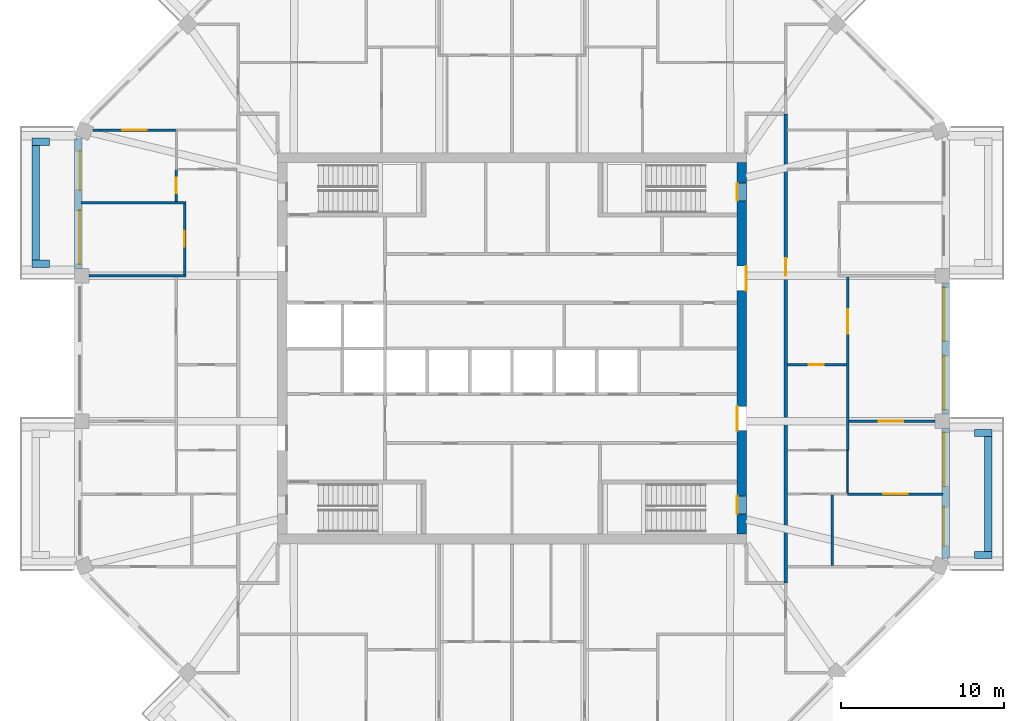
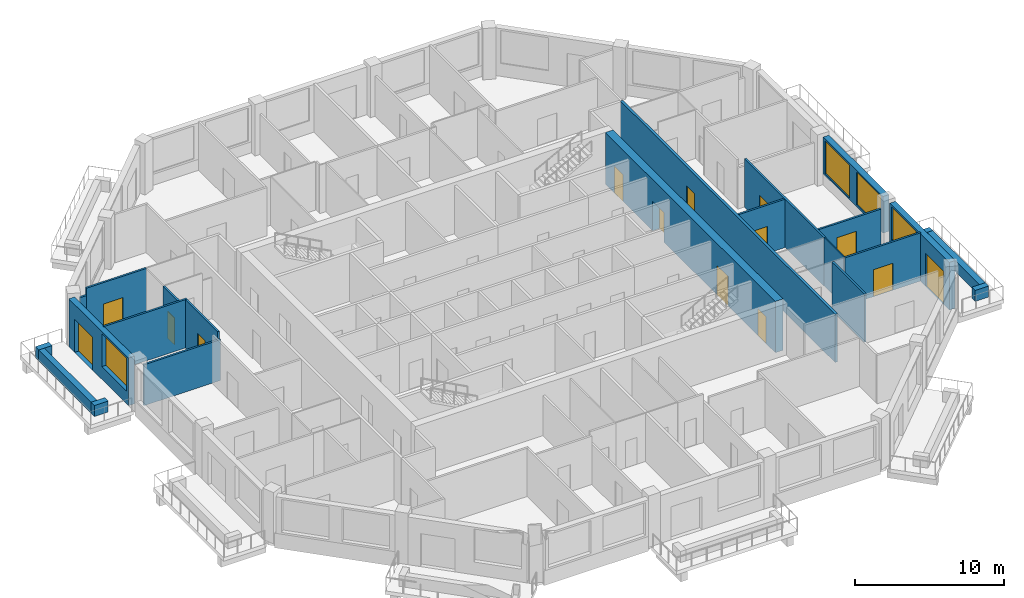
# One storey, part 6 of 12: 23 walls, 14 doors, 4 windows, 18 openings.
"""IFC4 building model written with IfcOpenShell, lengths in metres."""

from ifc_helpers import new_model, si_unit, direction, frame, frame_2d, origin, place, context, subcontext, project, spatial, rectangle, extrude, material, layer, layer_set, type_object, element, fill, save


model = new_model("IFC4")

# Units and contexts
model_context = context("Model", 3, precision=1e-05, world=origin(), true_north=direction((0.0, 1.0)))
body_context = subcontext(model_context, "Body", "Model", "MODEL_VIEW")
ifc_project = project(units=[si_unit("LENGTHUNIT", "METRE"), si_unit("AREAUNIT", "SQUARE_METRE"), si_unit("VOLUMEUNIT", "CUBIC_METRE"), si_unit("PLANEANGLEUNIT", "RADIAN"), si_unit("MASSUNIT", "GRAM", prefix="KILO")], contexts=[model_context])

# Site, building, storey
site_placement = place(None, origin())
site = spatial("IfcSite", under=ifc_project, at=site_placement, CompositionType="ELEMENT")
building_placement = place(site_placement, origin())
building = spatial("IfcBuilding", under=site, at=building_placement, Name="Msitu Wima Residences", CompositionType="ELEMENT")
storey_placement = place(building_placement, frame((0.0, 0.0, 243.300048828125)))
storey = spatial("IfcBuildingStorey", under=building, at=storey_placement, Name="L56", CompositionType="ELEMENT", Elevation=243.300048828125)

# Walls
ifc_material_1 = material(Name="Facing brick")
ifc_layer_1 = layer(ifc_material_1, 0.06494140625, Name="Facing brick")
ifc_material_2 = material(Name="Concrete C40/50", Category="concrete")
ifc_layer_2 = layer(ifc_material_2, 0.156005859375, Name="Concrete C40/50")
ifc_material_3 = material(Name="Waterproofing membrane")
ifc_layer_3 = layer(ifc_material_3, 0.00390625, Name="Waterproofing membrane")
ifc_material_4 = material(Name="Planting soil and planting")
ifc_layer_4 = layer(ifc_material_4, 0.22509765625, Name="Planting soil and planting")
ifc_layer_set_1 = layer_set([ifc_layer_1, ifc_layer_2, ifc_layer_3, ifc_layer_4], Name="Concrete C40/50")
wall_type_1 = type_object("IfcWallType", Name="Balcony planter PLANTER PL450", PredefinedType="USERDEFINED", material=ifc_layer_set_1)
wall_1_placement = place(storey_placement, frame((29.22509765625, -12.455810546875, 0.0), z_axis=(0.0, 0.0, 1.0), x_axis=(0.0, 1.0, 0.0)))
element("IfcWall", 1, at=wall_1_placement, inside=storey, type_object=wall_type_1, Name="Balcony planter E0 L56", ObjectType="PLANTER", PredefinedType="USERDEFINED", context=body_context, shape_type="SweptSolid", body=[
    extrude(rectangle(XDim=7.037109375, YDim=0.449951171875, at=frame_2d((3.5185546875, 0.0))), origin(), (0.0, 0.0, 1.0), 0.89990234375),
])
for number, where, z_axis, x_axis, name in (
    (2, (28.39990234375, -12.680908203125, 0.0), (0.0, 0.0, 1.0), (1.0, 0.0, 0.0), "Balcony planter E0 L56"),
    (3, (28.39990234375, -5.193603515625, 0.0), (0.0, 0.0, 1.0), (1.0, 0.0, 0.0), "Balcony planter E0 L56"),
):
    element("IfcWall", number, at=place(storey_placement, frame(where, z_axis=z_axis, x_axis=x_axis)), inside=storey, type_object=wall_type_1, Name=name, ObjectType="PLANTER", PredefinedType="USERDEFINED", context=body_context, shape_type="SweptSolid", body=[
        extrude(rectangle(XDim=1.050048828125, YDim=0.449951171875, at=frame_2d((0.52490234375, 0.0))), origin(), (0.0, 0.0, 1.0), 0.89990234375),
    ])
wall_2_placement = place(storey_placement, frame((-29.22509765625, 12.455810546875, 0.0), z_axis=(0.0, 0.0, 1.0), x_axis=(0.0, -1.0, 0.0)))
element("IfcWall", 4, at=wall_2_placement, inside=storey, type_object=wall_type_1, Name="Balcony planter W0 L56", ObjectType="PLANTER", PredefinedType="USERDEFINED", context=body_context, shape_type="SweptSolid", body=[
    extrude(rectangle(XDim=7.037109375, YDim=0.449951171875, at=frame_2d((3.5185546875, 0.0))), origin(), (0.0, 0.0, 1.0), 0.89990234375),
])
for number, where, z_axis, x_axis, name in (
    (5, (-28.39990234375, 12.680908203125, 0.0), (0.0, 0.0, 1.0), (-1.0, 0.0, 0.0), "Balcony planter W0 L56"),
    (6, (-28.39990234375, 5.193603515625, 0.0), (0.0, 0.0, 1.0), (-1.0, 0.0, 0.0), "Balcony planter W0 L56"),
):
    element("IfcWall", number, at=place(storey_placement, frame(where, z_axis=z_axis, x_axis=x_axis)), inside=storey, type_object=wall_type_1, Name=name, ObjectType="PLANTER", PredefinedType="USERDEFINED", context=body_context, shape_type="SweptSolid", body=[
        extrude(rectangle(XDim=1.050048828125, YDim=0.449951171875, at=frame_2d((0.52490234375, 0.0))), origin(), (0.0, 0.0, 1.0), 0.89990234375),
    ])

# Wall, openings, door, window
ifc_material_5 = material(Name="Brick (red buff mix)", Category="masonry")
ifc_layer_5 = layer(ifc_material_5, 0.449951171875)
ifc_layer_set_2 = layer_set([ifc_layer_5], Name="Brick (red buff mix)")
wall_type_2 = type_object("IfcWallType", Name="Brick infill wall BW450", PredefinedType="SOLIDWALL", material=ifc_layer_set_2)
wall_3_placement = place(storey_placement, frame((26.625, -12.918701171875, 0.0), z_axis=(0.0, 0.0, 1.0), x_axis=(0.0, 1.0, 0.0)))
wall_3 = element("IfcWall", 7, at=wall_3_placement, inside=storey, type_object=wall_type_2, Name="Brick infill wall L56 E0", PredefinedType="SOLIDWALL", context=body_context, shape_type="SweptSolid", body=[
    extrude(rectangle(XDim=8.0, YDim=0.449951171875, at=frame_2d((4.0, 0.0))), origin(), (0.0, 0.0, 1.0), 3.89990234375),
])
opening_1_placement = place(wall_3_placement, frame((0.800048828125, 0.0, 0.0)))
opening_1 = element("IfcOpeningElement", 8, at=opening_1_placement, cuts=wall_3, Name="Opening D55-56.001", PredefinedType="OPENING", context=body_context, shape_type="SweptSolid", body=[
    extrude(rectangle(XDim=2.39990234375, YDim=2.699951171875, at=frame_2d((1.199951171875, 1.35009765625))), frame((0.0, 0.23486328125, 0.0), z_axis=(0.0, -1.0, 0.0), x_axis=(1.0, 0.0, 0.0)), (0.0, 0.0, 1.0), 0.469970703125),
])
opening_2_placement = place(wall_3_placement, frame((4.4501953125, 0.0, 1.050048828125)))
opening_2 = element("IfcOpeningElement", 9, at=opening_2_placement, cuts=wall_3, Name="Opening W55-56.001", PredefinedType="OPENING", context=body_context, shape_type="SweptSolid", body=[
    extrude(rectangle(XDim=3.300048828125, YDim=2.699951171875, at=frame_2d((1.64990234375, 1.35009765625))), frame((0.0, 0.23486328125, 0.0), z_axis=(0.0, -1.0, 0.0), x_axis=(1.0, 0.0, 0.0)), (0.0, 0.0, 1.0), 0.469970703125),
])
ifc_material_6 = material(Name="Anodised aluminium, bronze finish, clear low-emissivity double glazing", Category="aluminium")
door_type_1 = type_object("IfcDoorType", Name="Balcony door D2400x2700", OperationType="SLIDING_TO_LEFT", PredefinedType="DOOR", material=ifc_material_6)
door_1_placement = place(opening_1_placement, origin())
door_1 = element("IfcDoor", 10, at=door_1_placement, inside=storey, type_object=door_type_1, Name="Balcony door L56 E0", OperationType="SINGLE_SWING_LEFT", OverallHeight=2.699951171875, OverallWidth=2.39990234375, PredefinedType="DOOR", context=body_context, shape_type="SweptSolid", body=[
    extrude(rectangle(XDim=2.39990234375, YDim=2.699951171875, at=frame_2d((1.199951171875, 1.35009765625))), frame((0.0, 0.1298828125, 0.0), z_axis=(0.0, -1.0, 0.0), x_axis=(1.0, 0.0, 0.0)), (0.0, 0.0, 1.0), 0.050048828125),
])
fill(opening_1, door_1)
window_type = type_object("IfcWindowType", Name="Window W3300x2700", PartitioningType="DOUBLE_PANEL_VERTICAL", PredefinedType="WINDOW", material=ifc_material_6)
window_1_placement = place(opening_2_placement, origin())
window_1 = element("IfcWindow", 11, at=window_1_placement, inside=storey, type_object=window_type, Name="Window L56 E0.2", OverallHeight=2.699951171875, OverallWidth=3.300048828125, PartitioningType="SINGLE_PANEL", PredefinedType="WINDOW", context=body_context, shape_type="SweptSolid", body=[
    extrude(rectangle(XDim=3.300048828125, YDim=2.699951171875, at=frame_2d((1.64990234375, 1.35009765625))), frame((0.0, 0.135009765625, 0.0), z_axis=(0.0, -1.0, 0.0), x_axis=(1.0, 0.0, 0.0)), (0.0, 0.0, 1.0), 0.06005859375),
])
fill(opening_2, window_1)

# Wall, openings, windows
wall_4_placement = place(storey_placement, frame((26.625, -4.0185546875, 0.89990234375), z_axis=(0.0, 0.0, 1.0), x_axis=(0.0, 1.0, 0.0)))
wall_4 = element("IfcWall", 12, at=wall_4_placement, inside=storey, type_object=wall_type_2, Name="Brick infill wall L56 E1", PredefinedType="SOLIDWALL", context=body_context, shape_type="SweptSolid", body=[
    extrude(rectangle(XDim=8.037109375, YDim=0.449951171875, at=frame_2d((4.0185546875, 0.0))), origin(), (0.0, 0.0, 1.0), 3.0),
])
opening_3_placement = place(wall_4_placement, frame((0.2685546875, 0.0, 0.14990234375)))
opening_3 = element("IfcOpeningElement", 13, at=opening_3_placement, cuts=wall_4, Name="Opening W55-56.002", PredefinedType="OPENING", context=body_context, shape_type="SweptSolid", body=[
    extrude(rectangle(XDim=3.300048828125, YDim=2.699951171875, at=frame_2d((1.64990234375, 1.35009765625))), frame((0.0, 0.23486328125, 0.0), z_axis=(0.0, -1.0, 0.0), x_axis=(1.0, 0.0, 0.0)), (0.0, 0.0, 1.0), 0.469970703125),
])
opening_4_placement = place(wall_4_placement, frame((4.46875, 0.0, 0.14990234375)))
opening_4 = element("IfcOpeningElement", 14, at=opening_4_placement, cuts=wall_4, Name="Opening W55-56.003", PredefinedType="OPENING", context=body_context, shape_type="SweptSolid", body=[
    extrude(rectangle(XDim=3.300048828125, YDim=2.699951171875, at=frame_2d((1.64990234375, 1.35009765625))), frame((0.0, 0.23486328125, 0.0), z_axis=(0.0, -1.0, 0.0), x_axis=(1.0, 0.0, 0.0)), (0.0, 0.0, 1.0), 0.469970703125),
])
window_2_placement = place(opening_3_placement, origin())
window_2 = element("IfcWindow", 15, at=window_2_placement, inside=storey, type_object=window_type, Name="Window L56 E1.1", OverallHeight=2.699951171875, OverallWidth=3.300048828125, PartitioningType="SINGLE_PANEL", PredefinedType="WINDOW", context=body_context, shape_type="SweptSolid", body=[
    extrude(rectangle(XDim=3.300048828125, YDim=2.699951171875, at=frame_2d((1.64990234375, 1.35009765625))), frame((0.0, 0.135009765625, 0.0), z_axis=(0.0, -1.0, 0.0), x_axis=(1.0, 0.0, 0.0)), (0.0, 0.0, 1.0), 0.06005859375),
])
fill(opening_3, window_2)
window_3_placement = place(opening_4_placement, origin())
window_3 = element("IfcWindow", 16, at=window_3_placement, inside=storey, type_object=window_type, Name="Window L56 E1.2", OverallHeight=2.699951171875, OverallWidth=3.300048828125, PartitioningType="SINGLE_PANEL", PredefinedType="WINDOW", context=body_context, shape_type="SweptSolid", body=[
    extrude(rectangle(XDim=3.300048828125, YDim=2.699951171875, at=frame_2d((1.64990234375, 1.35009765625))), frame((0.0, 0.135009765625, 0.0), z_axis=(0.0, -1.0, 0.0), x_axis=(1.0, 0.0, 0.0)), (0.0, 0.0, 1.0), 0.06005859375),
])
fill(opening_4, window_3)

# Wall, openings, door, window
wall_5_placement = place(storey_placement, frame((-26.625, 12.918701171875, 0.0), z_axis=(0.0, 0.0, 1.0), x_axis=(0.0, -1.0, 0.0)))
wall_5 = element("IfcWall", 17, at=wall_5_placement, inside=storey, type_object=wall_type_2, Name="Brick infill wall L56 W0", PredefinedType="SOLIDWALL", context=body_context, shape_type="SweptSolid", body=[
    extrude(rectangle(XDim=8.0, YDim=0.449951171875, at=frame_2d((4.0, 0.0))), origin(), (0.0, 0.0, 1.0), 3.89990234375),
])
opening_5_placement = place(wall_5_placement, frame((0.800048828125, 0.0, 0.0)))
opening_5 = element("IfcOpeningElement", 18, at=opening_5_placement, cuts=wall_5, Name="Opening D55-56.009", PredefinedType="OPENING", context=body_context, shape_type="SweptSolid", body=[
    extrude(rectangle(XDim=2.39990234375, YDim=2.699951171875, at=frame_2d((1.199951171875, 1.35009765625))), frame((0.0, 0.23486328125, 0.0), z_axis=(0.0, -1.0, 0.0), x_axis=(1.0, 0.0, 0.0)), (0.0, 0.0, 1.0), 0.469970703125),
])
opening_6_placement = place(wall_5_placement, frame((4.4501953125, 0.0, 1.050048828125)))
opening_6 = element("IfcOpeningElement", 19, at=opening_6_placement, cuts=wall_5, Name="Opening W55-56.027", PredefinedType="OPENING", context=body_context, shape_type="SweptSolid", body=[
    extrude(rectangle(XDim=3.300048828125, YDim=2.699951171875, at=frame_2d((1.64990234375, 1.35009765625))), frame((0.0, 0.23486328125, 0.0), z_axis=(0.0, -1.0, 0.0), x_axis=(1.0, 0.0, 0.0)), (0.0, 0.0, 1.0), 0.469970703125),
])
door_2_placement = place(opening_5_placement, origin())
door_2 = element("IfcDoor", 20, at=door_2_placement, inside=storey, type_object=door_type_1, Name="Balcony door L56 W0", OperationType="SINGLE_SWING_LEFT", OverallHeight=2.699951171875, OverallWidth=2.39990234375, PredefinedType="DOOR", context=body_context, shape_type="SweptSolid", body=[
    extrude(rectangle(XDim=2.39990234375, YDim=2.699951171875, at=frame_2d((1.199951171875, 1.35009765625))), frame((0.0, 0.1298828125, 0.0), z_axis=(0.0, -1.0, 0.0), x_axis=(1.0, 0.0, 0.0)), (0.0, 0.0, 1.0), 0.050048828125),
])
fill(opening_5, door_2)
window_4_placement = place(opening_6_placement, origin())
window_4 = element("IfcWindow", 21, at=window_4_placement, inside=storey, type_object=window_type, Name="Window L56 W0.2", OverallHeight=2.699951171875, OverallWidth=3.300048828125, PartitioningType="SINGLE_PANEL", PredefinedType="WINDOW", context=body_context, shape_type="SweptSolid", body=[
    extrude(rectangle(XDim=3.300048828125, YDim=2.699951171875, at=frame_2d((1.64990234375, 1.35009765625))), frame((0.0, 0.135009765625, 0.0), z_axis=(0.0, -1.0, 0.0), x_axis=(1.0, 0.0, 0.0)), (0.0, 0.0, 1.0), 0.06005859375),
])
fill(opening_6, window_4)

# Wall, openings, doors
ifc_material_7 = material(Name="Concrete C50/60", Category="concrete")
ifc_layer_6 = layer(ifc_material_7, 0.60009765625)
ifc_layer_set_3 = layer_set([ifc_layer_6], Name="Concrete C50/60")
wall_type_3 = type_object("IfcWallType", Name="Core wall CW600 C50/60", PredefinedType="SHEAR", material=ifc_layer_set_3)
wall_6_placement = place(storey_placement, frame((14.10009765625, -11.39990234375, 0.0), z_axis=(0.0, 0.0, 1.0), x_axis=(0.0, 1.0, 0.0)))
wall_6 = element("IfcWall", 22, at=wall_6_placement, inside=storey, type_object=wall_type_3, Name="Core wall", PredefinedType="SHEAR", context=body_context, shape_type="SweptSolid", body=[
    extrude(rectangle(XDim=22.7998046875, YDim=0.60009765625, at=frame_2d((11.39990234375, 0.0))), origin(), (0.0, 0.0, 1.0), 4.199951171875),
])
opening_7_placement = place(wall_6_placement, frame((20.449951171875, 0.0, 0.0)))
opening_7 = element("IfcOpeningElement", 23, at=opening_7_placement, cuts=wall_6, Name="Opening D55-56.081", PredefinedType="OPENING", context=body_context, shape_type="SweptSolid", body=[
    extrude(rectangle(XDim=1.10009765625, YDim=2.199951171875, at=frame_2d((0.550048828125, 1.10009765625))), frame((0.0, 0.31005859375, 0.0), z_axis=(0.0, -1.0, 0.0), x_axis=(1.0, 0.0, 0.0)), (0.0, 0.0, 1.0), 0.6201171875),
])
opening_8_placement = place(wall_6_placement, frame((1.25, 0.0, 0.0)))
opening_8 = element("IfcOpeningElement", 24, at=opening_8_placement, cuts=wall_6, Name="Opening D55-56.082", PredefinedType="OPENING", context=body_context, shape_type="SweptSolid", body=[
    extrude(rectangle(XDim=1.10009765625, YDim=2.199951171875, at=frame_2d((0.550048828125, 1.10009765625))), frame((0.0, 0.31005859375, 0.0), z_axis=(0.0, -1.0, 0.0), x_axis=(1.0, 0.0, 0.0)), (0.0, 0.0, 1.0), 0.6201171875),
])
opening_9_placement = place(wall_6_placement, frame((14.949951171875, 0.0, 0.0)))
opening_9 = element("IfcOpeningElement", 25, at=opening_9_placement, cuts=wall_6, Name="Opening D55-56.071", PredefinedType="OPENING", context=body_context, shape_type="SweptSolid", body=[
    extrude(rectangle(XDim=1.5, YDim=2.39990234375, at=frame_2d((0.75, 1.199951171875))), frame((0.0, 0.31005859375, 0.0), z_axis=(0.0, -1.0, 0.0), x_axis=(1.0, 0.0, 0.0)), (0.0, 0.0, 1.0), 0.6201171875),
])
opening_10_placement = place(wall_6_placement, frame((6.35009765625, 0.0, 0.0)))
opening_10 = element("IfcOpeningElement", 26, at=opening_10_placement, cuts=wall_6, Name="Opening D55-56.072", PredefinedType="OPENING", context=body_context, shape_type="SweptSolid", body=[
    extrude(rectangle(XDim=1.5, YDim=2.39990234375, at=frame_2d((0.75, 1.199951171875))), frame((0.0, 0.31005859375, 0.0), z_axis=(0.0, -1.0, 0.0), x_axis=(1.0, 0.0, 0.0)), (0.0, 0.0, 1.0), 0.6201171875),
])
ifc_material_8 = material(Name="Steel framed glazed door, fire resisting", Category="steel")
door_type_2 = type_object("IfcDoorType", Name="Lobby door D07 1500x2400", OperationType="DOUBLE_DOOR_SINGLE_SWING", PredefinedType="DOOR", material=ifc_material_8)
door_3_placement = place(opening_9_placement, origin())
door_3 = element("IfcDoor", 27, at=door_3_placement, inside=storey, type_object=door_type_2, Name="Lobby door", OperationType="DOUBLE_DOOR_SINGLE_SWING", OverallHeight=2.39990234375, OverallWidth=1.5, PredefinedType="DOOR", context=body_context, shape_type="SweptSolid", body=[
    extrude(rectangle(XDim=1.5, YDim=2.39990234375, at=frame_2d((0.75, 1.199951171875))), frame((0.0, -0.2451171875, 0.0), z_axis=(0.0, -1.0, 0.0), x_axis=(1.0, 0.0, 0.0)), (0.0, 0.0, 1.0), 0.050048828125),
])
fill(opening_9, door_3)
door_4_placement = place(opening_10_placement, origin())
door_4 = element("IfcDoor", 28, at=door_4_placement, inside=storey, type_object=door_type_2, Name="Lobby door", OperationType="DOUBLE_DOOR_SINGLE_SWING", OverallHeight=2.39990234375, OverallWidth=1.5, PredefinedType="DOOR", context=body_context, shape_type="SweptSolid", body=[
    extrude(rectangle(XDim=1.5, YDim=2.39990234375, at=frame_2d((0.75, 1.199951171875))), frame((0.0, 0.294921875, 0.0), z_axis=(0.0, -1.0, 0.0), x_axis=(1.0, 0.0, 0.0)), (0.0, 0.0, 1.0), 0.050048828125),
])
fill(opening_10, door_4)
ifc_material_9 = material(Name="Steel door, fire resisting, panic bar", Category="steel")
door_type_3 = type_object("IfcDoorType", Name="Stair door D06 1100x2200", OperationType="SINGLE_SWING_LEFT", PredefinedType="DOOR", material=ifc_material_9)
door_5_placement = place(opening_7_placement, origin())
door_5 = element("IfcDoor", 29, at=door_5_placement, inside=storey, type_object=door_type_3, Name="Stair door", OperationType="SINGLE_SWING_LEFT", OverallHeight=2.199951171875, OverallWidth=1.10009765625, PredefinedType="DOOR", context=body_context, shape_type="SweptSolid", body=[
    extrude(rectangle(XDim=1.10009765625, YDim=2.199951171875, at=frame_2d((0.550048828125, 1.10009765625))), frame((0.0, 0.294921875, 0.0), z_axis=(0.0, -1.0, 0.0), x_axis=(1.0, 0.0, 0.0)), (0.0, 0.0, 1.0), 0.050048828125),
])
fill(opening_7, door_5)
door_6_placement = place(opening_8_placement, origin())
door_6 = element("IfcDoor", 30, at=door_6_placement, inside=storey, type_object=door_type_3, Name="Stair door", OperationType="SINGLE_SWING_RIGHT", OverallHeight=2.199951171875, OverallWidth=1.10009765625, PredefinedType="DOOR", context=body_context, shape_type="SweptSolid", body=[
    extrude(rectangle(XDim=1.10009765625, YDim=2.199951171875, at=frame_2d((0.550048828125, 1.10009765625))), frame((0.0, 0.294921875, 0.0), z_axis=(0.0, -1.0, 0.0), x_axis=(1.0, 0.0, 0.0)), (0.0, 0.0, 1.0), 0.050048828125),
])
fill(opening_8, door_6)

# Wall, opening, door
ifc_material_10 = material(Name="Plaster")
ifc_layer_7 = layer(ifc_material_10, 0.011962890625, Name="Plaster")
ifc_material_11 = material(Name="Concrete blockwork", Category="masonry")
ifc_layer_8 = layer(ifc_material_11, 0.176025390625, Name="Concrete blockwork")
ifc_layer_9 = layer(ifc_material_10, 0.011962890625, Name="Plaster")
ifc_layer_set_4 = layer_set([ifc_layer_7, ifc_layer_8, ifc_layer_9], Name="Concrete blockwork")
wall_type_4 = type_object("IfcWallType", Name="Corridor wall FW200", PredefinedType="PARTITIONING", material=ifc_layer_set_4)
wall_7_placement = place(storey_placement, frame((16.800048828125, -14.39990234375, 0.0), z_axis=(0.0, 0.0, 1.0), x_axis=(0.0, 1.0, 0.0)))
wall_7 = element("IfcWall", 31, at=wall_7_placement, inside=storey, type_object=wall_type_4, Name="Corridor wall", PredefinedType="PARTITIONING", context=body_context, shape_type="SweptSolid", body=[
    extrude(rectangle(XDim=28.7998046875, YDim=0.199951171875, at=frame_2d((14.39990234375, 0.0))), origin(), (0.0, 0.0, 1.0), 3.949951171875),
])
opening_11_placement = place(wall_7_placement, frame((18.85009765625, 0.0, 0.0)))
opening_11 = element("IfcOpeningElement", 32, at=opening_11_placement, cuts=wall_7, Name="Opening D55-56.011", PredefinedType="OPENING", context=body_context, shape_type="SweptSolid", body=[
    extrude(rectangle(XDim=1.10009765625, YDim=2.39990234375, at=frame_2d((0.550048828125, 1.199951171875))), frame((0.0, 0.10986328125, 0.0), z_axis=(0.0, -1.0, 0.0), x_axis=(1.0, 0.0, 0.0)), (0.0, 0.0, 1.0), 0.219970703125),
])
ifc_material_12 = material(Name="Timber flush door, fire resisting, self-closing", Category="wood")
door_type_4 = type_object("IfcDoorType", Name="Flat entrance door D01 1100x2400", OperationType="SINGLE_SWING_LEFT", PredefinedType="DOOR", material=ifc_material_12)
door_7_placement = place(opening_11_placement, origin())
door_7 = element("IfcDoor", 33, at=door_7_placement, inside=storey, type_object=door_type_4, Name="Flat entrance door", OperationType="SINGLE_SWING_LEFT", OverallHeight=2.39990234375, OverallWidth=1.10009765625, PredefinedType="DOOR", context=body_context, shape_type="SweptSolid", body=[
    extrude(rectangle(XDim=1.10009765625, YDim=2.39990234375, at=frame_2d((0.550048828125, 1.199951171875))), frame((0.0, 0.02490234375, 0.0), z_axis=(0.0, -1.0, 0.0), x_axis=(1.0, 0.0, 0.0)), (0.0, 0.0, 1.0), 0.050048828125),
])
fill(opening_11, door_7)

# Walls
ifc_layer_10 = layer(ifc_material_10, 0.011962890625, Name="Plaster")
ifc_layer_11 = layer(ifc_material_11, 0.1259765625, Name="Concrete blockwork")
ifc_layer_12 = layer(ifc_material_10, 0.011962890625, Name="Plaster")
ifc_layer_set_5 = layer_set([ifc_layer_10, ifc_layer_11, ifc_layer_12], Name="Concrete blockwork")
wall_type_5 = type_object("IfcWallType", Name="Partition PW150", PredefinedType="PARTITIONING", material=ifc_layer_set_5)
wall_8_placement = place(storey_placement, frame((-25.949951171875, 4.46875, 0.0), z_axis=(0.0, 0.0, 1.0), x_axis=(1.0, 0.0, 0.0)))
element("IfcWall", 34, at=wall_8_placement, inside=storey, type_object=wall_type_5, Name="Partition", PredefinedType="PARTITIONING", context=body_context, shape_type="SweptSolid", body=[
    extrude(rectangle(XDim=5.925048828125, YDim=0.14990234375, at=frame_2d((2.96240234375, 0.0))), origin(), (0.0, 0.0, 1.0), 3.349853515625),
])
wall_9_placement = place(storey_placement, frame((-26.455078125, 8.937255859375, 0.0), z_axis=(0.0, 0.0, 1.0), x_axis=(1.0, 0.0, 0.0)))
element("IfcWall", 35, at=wall_9_placement, inside=storey, type_object=wall_type_5, Name="Partition", PredefinedType="PARTITIONING", context=body_context, shape_type="SweptSolid", body=[
    extrude(rectangle(XDim=6.43017578125, YDim=0.14990234375, at=frame_2d((3.215087890625, 0.0))), origin(), (0.0, 0.0, 1.0), 3.949951171875),
])
wall_10_placement = place(storey_placement, frame((-25.731201171875, 13.406005859375, 0.0), z_axis=(0.0, 0.0, 1.0), x_axis=(1.0, 0.0, 0.0)))
element("IfcWall", 36, at=wall_10_placement, inside=storey, type_object=wall_type_5, Name="Partition", PredefinedType="PARTITIONING", context=body_context, shape_type="SweptSolid", body=[
    extrude(rectangle(XDim=0.507080078125, YDim=0.14990234375, at=frame_2d((0.25341796875, 0.0))), origin(), (0.0, 0.0, 1.0), 3.349853515625),
])

# Wall, opening, door
wall_11_placement = place(storey_placement, frame((-25.22412109375, 13.406005859375, 0.0), z_axis=(0.0, 0.0, 1.0), x_axis=(1.0, 0.0, 0.0)))
wall_11 = element("IfcWall", 37, at=wall_11_placement, inside=storey, type_object=wall_type_5, Name="Partition", PredefinedType="PARTITIONING", context=body_context, shape_type="SweptSolid", body=[
    extrude(rectangle(XDim=4.6240234375, YDim=0.14990234375, at=frame_2d((2.31201171875, 0.0))), origin(), (0.0, 0.0, 1.0), 3.949951171875),
])
opening_12_placement = place(wall_11_placement, frame((1.29296875, 0.0, 0.0)))
opening_12 = element("IfcOpeningElement", 38, at=opening_12_placement, cuts=wall_11, Name="Opening D55-56.055", PredefinedType="OPENING", context=body_context, shape_type="SweptSolid", body=[
    extrude(rectangle(XDim=1.5, YDim=2.199951171875, at=frame_2d((0.75, 1.10009765625))), frame((0.0, 0.0849609375, 0.0), z_axis=(0.0, -1.0, 0.0), x_axis=(1.0, 0.0, 0.0)), (0.0, 0.0, 1.0), 0.169921875),
])
ifc_material_13 = material(Name="Timber double door", Category="wood")
door_type_5 = type_object("IfcDoorType", Name="Double door D04 1500x2200", OperationType="DOUBLE_DOOR_SINGLE_SWING", PredefinedType="DOOR", material=ifc_material_13)
door_8_placement = place(opening_12_placement, origin())
door_8 = element("IfcDoor", 39, at=door_8_placement, inside=storey, type_object=door_type_5, Name="Double door", OperationType="DOUBLE_DOOR_SINGLE_SWING", OverallHeight=2.199951171875, OverallWidth=1.5, PredefinedType="DOOR", context=body_context, shape_type="SweptSolid", body=[
    extrude(rectangle(XDim=1.5, YDim=2.199951171875, at=frame_2d((0.75, 1.10009765625))), frame((0.0, 0.02490234375, 0.0), z_axis=(0.0, -1.0, 0.0), x_axis=(1.0, 0.0, 0.0)), (0.0, 0.0, 1.0), 0.050048828125),
])
fill(opening_12, door_8)

wall_12_placement = place(storey_placement, frame((-20.60009765625, 9.01220703125, 0.0), z_axis=(0.0, 0.0, 1.0), x_axis=(0.0, 1.0, 0.0)))
wall_12 = element("IfcWall", 40, at=wall_12_placement, inside=storey, type_object=wall_type_5, Name="Partition", PredefinedType="PARTITIONING", context=body_context, shape_type="SweptSolid", body=[
    extrude(rectangle(XDim=1.9677734375, YDim=0.14990234375, at=frame_2d((0.98388671875, 0.0))), origin(), (0.0, 0.0, 1.0), 3.949951171875),
])
opening_13_placement = place(wall_12_placement, frame((0.5, 0.0, 0.0)))
opening_13 = element("IfcOpeningElement", 41, at=opening_13_placement, cuts=wall_12, Name="Opening D55-56.054", PredefinedType="OPENING", context=body_context, shape_type="SweptSolid", body=[
    extrude(rectangle(XDim=0.949951171875, YDim=2.199951171875, at=frame_2d((0.47509765625, 1.10009765625))), frame((0.0, 0.0849609375, 0.0), z_axis=(0.0, -1.0, 0.0), x_axis=(1.0, 0.0, 0.0)), (0.0, 0.0, 1.0), 0.169921875),
])
ifc_material_14 = material(Name="Timber flush door", Category="wood")
door_type_6 = type_object("IfcDoorType", Name="Room door D12 950x2200", OperationType="SINGLE_SWING_LEFT", PredefinedType="DOOR", material=ifc_material_14)
door_9_placement = place(opening_13_placement, origin())
door_9 = element("IfcDoor", 42, at=door_9_placement, inside=storey, type_object=door_type_6, Name="Room door", OperationType="SINGLE_SWING_LEFT", OverallHeight=2.199951171875, OverallWidth=0.949951171875, PredefinedType="DOOR", context=body_context, shape_type="SweptSolid", body=[
    extrude(rectangle(XDim=0.949951171875, YDim=2.199951171875, at=frame_2d((0.47509765625, 1.10009765625))), frame((0.0, 0.02490234375, 0.0), z_axis=(0.0, -1.0, 0.0), x_axis=(1.0, 0.0, 0.0)), (0.0, 0.0, 1.0), 0.050048828125),
])
fill(opening_13, door_9)

wall_13_placement = place(storey_placement, frame((-20.10009765625, 4.543701171875, 0.0), z_axis=(0.0, 0.0, 1.0), x_axis=(0.0, 1.0, 0.0)))
wall_13 = element("IfcWall", 43, at=wall_13_placement, inside=storey, type_object=wall_type_5, Name="Partition", PredefinedType="PARTITIONING", context=body_context, shape_type="SweptSolid", body=[
    extrude(rectangle(XDim=4.318603515625, YDim=0.14990234375, at=frame_2d((2.1591796875, 0.0))), origin(), (0.0, 0.0, 1.0), 3.949951171875),
])
opening_14_placement = place(wall_13_placement, frame((1.699951171875, 0.0, 0.0)))
opening_14 = element("IfcOpeningElement", 44, at=opening_14_placement, cuts=wall_13, Name="Opening D55-56.053", PredefinedType="OPENING", context=body_context, shape_type="SweptSolid", body=[
    extrude(rectangle(XDim=0.949951171875, YDim=2.199951171875, at=frame_2d((0.47509765625, 1.10009765625))), frame((0.0, 0.0849609375, 0.0), z_axis=(0.0, -1.0, 0.0), x_axis=(1.0, 0.0, 0.0)), (0.0, 0.0, 1.0), 0.169921875),
])
door_10_placement = place(opening_14_placement, origin())
door_10 = element("IfcDoor", 45, at=door_10_placement, inside=storey, type_object=door_type_6, Name="Room door", OperationType="SINGLE_SWING_RIGHT", OverallHeight=2.199951171875, OverallWidth=0.949951171875, PredefinedType="DOOR", context=body_context, shape_type="SweptSolid", body=[
    extrude(rectangle(XDim=0.949951171875, YDim=2.199951171875, at=frame_2d((0.47509765625, 1.10009765625))), frame((0.0, 0.02490234375, 0.0), z_axis=(0.0, -1.0, 0.0), x_axis=(1.0, 0.0, 0.0)), (0.0, 0.0, 1.0), 0.050048828125),
])
fill(opening_14, door_10)

wall_14_placement = place(storey_placement, frame((16.89990234375, -1.0, 0.0), z_axis=(0.0, 0.0, 1.0), x_axis=(1.0, 0.0, 0.0)))
wall_14 = element("IfcWall", 46, at=wall_14_placement, inside=storey, type_object=wall_type_5, Name="Partition", PredefinedType="PARTITIONING", context=body_context, shape_type="SweptSolid", body=[
    extrude(rectangle(XDim=3.625, YDim=0.14990234375, at=frame_2d((1.8125, 0.0))), origin(), (0.0, 0.0, 1.0), 3.949951171875),
])
opening_15_placement = place(wall_14_placement, frame((1.300048828125, 0.0, 0.0)))
opening_15 = element("IfcOpeningElement", 47, at=opening_15_placement, cuts=wall_14, Name="Opening D55-56.012", PredefinedType="OPENING", context=body_context, shape_type="SweptSolid", body=[
    extrude(rectangle(XDim=0.949951171875, YDim=2.199951171875, at=frame_2d((0.47509765625, 1.10009765625))), frame((0.0, 0.0849609375, 0.0), z_axis=(0.0, -1.0, 0.0), x_axis=(1.0, 0.0, 0.0)), (0.0, 0.0, 1.0), 0.169921875),
])
door_11_placement = place(opening_15_placement, origin())
door_11 = element("IfcDoor", 48, at=door_11_placement, inside=storey, type_object=door_type_6, Name="Room door", OperationType="SINGLE_SWING_RIGHT", OverallHeight=2.199951171875, OverallWidth=0.949951171875, PredefinedType="DOOR", context=body_context, shape_type="SweptSolid", body=[
    extrude(rectangle(XDim=0.949951171875, YDim=2.199951171875, at=frame_2d((0.47509765625, 1.10009765625))), frame((0.0, 0.02490234375, 0.0), z_axis=(0.0, -1.0, 0.0), x_axis=(1.0, 0.0, 0.0)), (0.0, 0.0, 1.0), 0.050048828125),
])
fill(opening_15, door_11)

# Wall
wall_15_placement = place(storey_placement, frame((19.64990234375, -13.330810546875, 0.0), z_axis=(0.0, 0.0, 1.0), x_axis=(0.0, 1.0, 0.0)))
element("IfcWall", 49, at=wall_15_placement, inside=storey, type_object=wall_type_5, Name="Partition", PredefinedType="PARTITIONING", context=body_context, shape_type="SweptSolid", body=[
    extrude(rectangle(XDim=4.343505859375, YDim=0.14990234375, at=frame_2d((2.171875, 0.0))), origin(), (0.0, 0.0, 1.0), 3.949951171875),
])

# Wall, opening, door
wall_16_placement = place(storey_placement, frame((20.580078125, -8.937255859375, 0.0), z_axis=(0.0, 0.0, 1.0), x_axis=(1.0, 0.0, 0.0)))
wall_16 = element("IfcWall", 50, at=wall_16_placement, inside=storey, type_object=wall_type_5, Name="Partition", PredefinedType="PARTITIONING", context=body_context, shape_type="SweptSolid", body=[
    extrude(rectangle(XDim=5.875, YDim=0.14990234375, at=frame_2d((2.9375, 0.0))), origin(), (0.0, 0.0, 1.0), 3.949951171875),
])
opening_16_placement = place(wall_16_placement, frame((2.199951171875, 0.0, 0.0)))
opening_16 = element("IfcOpeningElement", 51, at=opening_16_placement, cuts=wall_16, Name="Opening D55-56.017", PredefinedType="OPENING", context=body_context, shape_type="SweptSolid", body=[
    extrude(rectangle(XDim=1.5, YDim=2.199951171875, at=frame_2d((0.75, 1.10009765625))), frame((0.0, 0.0849609375, 0.0), z_axis=(0.0, -1.0, 0.0), x_axis=(1.0, 0.0, 0.0)), (0.0, 0.0, 1.0), 0.169921875),
])
door_12_placement = place(opening_16_placement, origin())
door_12 = element("IfcDoor", 52, at=door_12_placement, inside=storey, type_object=door_type_5, Name="Double door", OperationType="DOUBLE_DOOR_SINGLE_SWING", OverallHeight=2.199951171875, OverallWidth=1.5, PredefinedType="DOOR", context=body_context, shape_type="SweptSolid", body=[
    extrude(rectangle(XDim=1.5, YDim=2.199951171875, at=frame_2d((0.75, 1.10009765625))), frame((0.0, 0.02490234375, 0.0), z_axis=(0.0, -1.0, 0.0), x_axis=(1.0, 0.0, 0.0)), (0.0, 0.0, 1.0), 0.050048828125),
])
fill(opening_16, door_12)

wall_17_placement = place(storey_placement, frame((20.60009765625, -6.256103515625, 0.0), z_axis=(0.0, 0.0, 1.0), x_axis=(0.0, 1.0, 0.0)))
wall_17 = element("IfcWall", 53, at=wall_17_placement, inside=storey, type_object=wall_type_5, Name="Partition", PredefinedType="PARTITIONING", context=body_context, shape_type="SweptSolid", body=[
    extrude(rectangle(XDim=10.649658203125, YDim=0.14990234375, at=frame_2d((5.32470703125, 0.0))), origin(), (0.0, 0.0, 1.0), 3.949951171875),
])
opening_17_placement = place(wall_17_placement, frame((7.14990234375, 0.0, 0.0)))
opening_17 = element("IfcOpeningElement", 54, at=opening_17_placement, cuts=wall_17, Name="Opening D55-56.028", PredefinedType="OPENING", context=body_context, shape_type="SweptSolid", body=[
    extrude(rectangle(XDim=1.5, YDim=2.199951171875, at=frame_2d((0.75, 1.10009765625))), frame((0.0, 0.0849609375, 0.0), z_axis=(0.0, -1.0, 0.0), x_axis=(1.0, 0.0, 0.0)), (0.0, 0.0, 1.0), 0.169921875),
])
door_13_placement = place(opening_17_placement, origin())
door_13 = element("IfcDoor", 55, at=door_13_placement, inside=storey, type_object=door_type_5, Name="Double door", OperationType="DOUBLE_DOOR_SINGLE_SWING", OverallHeight=2.199951171875, OverallWidth=1.5, PredefinedType="DOOR", context=body_context, shape_type="SweptSolid", body=[
    extrude(rectangle(XDim=1.5, YDim=2.199951171875, at=frame_2d((0.75, 1.10009765625))), frame((0.0, 0.02490234375, 0.0), z_axis=(0.0, -1.0, 0.0), x_axis=(1.0, 0.0, 0.0)), (0.0, 0.0, 1.0), 0.050048828125),
])
fill(opening_17, door_13)

wall_18_placement = place(storey_placement, frame((20.675048828125, -4.46875, 0.0), z_axis=(0.0, 0.0, 1.0), x_axis=(1.0, 0.0, 0.0)))
wall_18 = element("IfcWall", 56, at=wall_18_placement, inside=storey, type_object=wall_type_5, Name="Partition", PredefinedType="PARTITIONING", context=body_context, shape_type="SweptSolid", body=[
    extrude(rectangle(XDim=5.27490234375, YDim=0.14990234375, at=frame_2d((2.637451171875, 0.0))), origin(), (0.0, 0.0, 1.0), 3.349853515625),
])
opening_18_placement = place(wall_18_placement, frame((1.85009765625, 0.0, 0.0)))
opening_18 = element("IfcOpeningElement", 57, at=opening_18_placement, cuts=wall_18, Name="Opening D55-56.013", PredefinedType="OPENING", context=body_context, shape_type="SweptSolid", body=[
    extrude(rectangle(XDim=1.5, YDim=2.199951171875, at=frame_2d((0.75, 1.10009765625))), frame((0.0, 0.0849609375, 0.0), z_axis=(0.0, -1.0, 0.0), x_axis=(1.0, 0.0, 0.0)), (0.0, 0.0, 1.0), 0.169921875),
])
door_14_placement = place(opening_18_placement, origin())
door_14 = element("IfcDoor", 58, at=door_14_placement, inside=storey, type_object=door_type_5, Name="Double door", OperationType="DOUBLE_DOOR_SINGLE_SWING", OverallHeight=2.199951171875, OverallWidth=1.5, PredefinedType="DOOR", context=body_context, shape_type="SweptSolid", body=[
    extrude(rectangle(XDim=1.5, YDim=2.199951171875, at=frame_2d((0.75, 1.10009765625))), frame((0.0, 0.02490234375, 0.0), z_axis=(0.0, -1.0, 0.0), x_axis=(1.0, 0.0, 0.0)), (0.0, 0.0, 1.0), 0.050048828125),
])
fill(opening_18, door_14)

# Wall
ifc_material_15 = material(Name="Ceramic tiles")
ifc_layer_13 = layer(ifc_material_15, 0.008056640625, Name="Ceramic tiles")
ifc_material_16 = material(Name="Moisture-resistant board")
ifc_layer_14 = layer(ifc_material_16, 0.012451171875, Name="Moisture-resistant board")
ifc_material_17 = material(Name="Light-gauge stud framing with mineral wool")
ifc_layer_15 = layer(ifc_material_17, 0.06689453125, Name="Light-gauge stud framing with mineral wool")
ifc_layer_16 = layer(ifc_material_16, 0.012451171875, Name="Moisture-resistant board")
ifc_layer_set_6 = layer_set([ifc_layer_13, ifc_layer_14, ifc_layer_15, ifc_layer_16], Name="Light-gauge stud framing with mineral wool")
wall_type_6 = type_object("IfcWallType", Name="Wet wall PW100", PredefinedType="PARTITIONING", material=ifc_layer_set_6)
wall_19_placement = place(storey_placement, frame((20.60009765625, -8.8623046875, 0.0), z_axis=(0.0, 0.0, 1.0), x_axis=(0.0, 1.0, 0.0)))
element("IfcWall", 59, at=wall_19_placement, inside=storey, type_object=wall_type_6, Name="Wet wall", PredefinedType="PARTITIONING", context=body_context, shape_type="SweptSolid", body=[
    extrude(rectangle(XDim=2.606201171875, YDim=0.10009765625, at=frame_2d((1.30322265625, 0.0))), origin(), (0.0, 0.0, 1.0), 3.949951171875),
])

save(model, "model.ifc")
